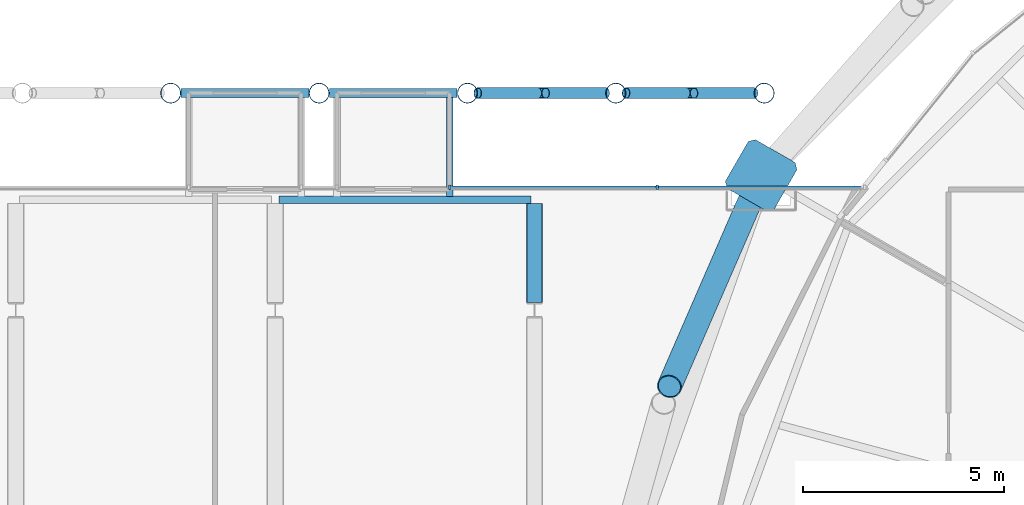
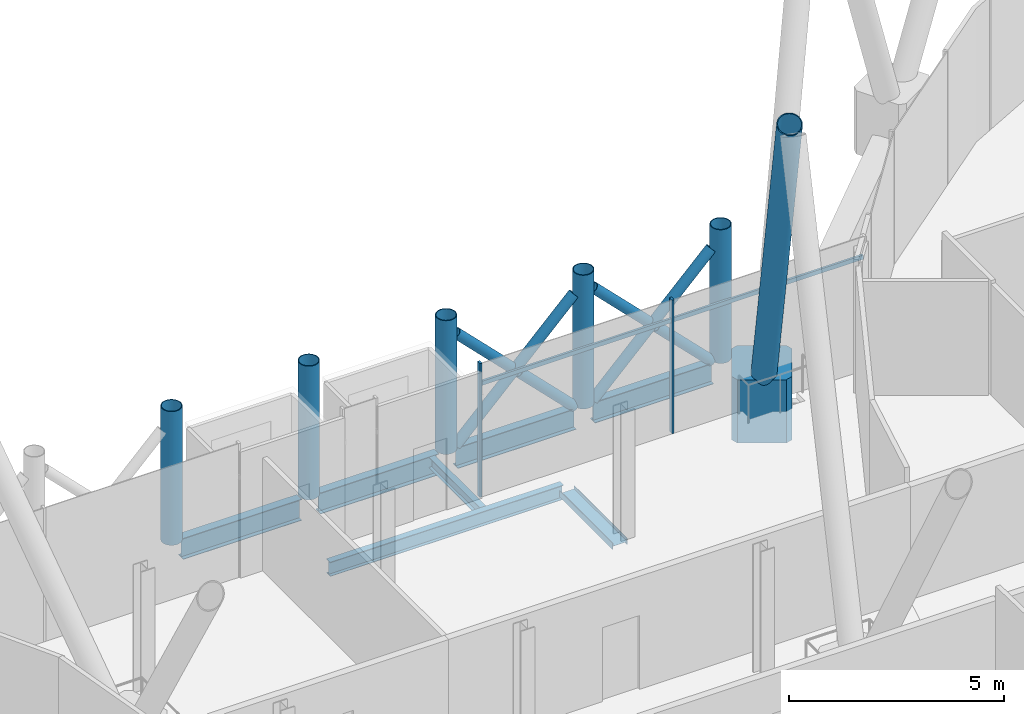
# One storey, part 12 of 35: 17 members, 7 beams, 1 element without a shape of its own.
"""IFC4 building model written with IfcOpenShell, lengths in metres."""

from ifc_helpers import new_model, si_unit, direction, frame, origin, origin_2d, place, context, subcontext, project, spatial, polyline, rectangle, hollow_circle, i_section, outline, extrude, material, material_profile, profile_set, type_object, element, aggregate, save


model = new_model("IFC4")

# Units and contexts
model_context = context("Model", 3, precision=1e-05, world=origin(), true_north=direction((0.0, 1.0)))
body_context = subcontext(model_context, "Body", "Model", "MODEL_VIEW")
ifc_project = project(units=[si_unit("LENGTHUNIT", "METRE"), si_unit("AREAUNIT", "SQUARE_METRE"), si_unit("VOLUMEUNIT", "CUBIC_METRE"), si_unit("PLANEANGLEUNIT", "RADIAN"), si_unit("MASSUNIT", "GRAM", prefix="KILO")], contexts=[model_context])

# Site, building, storey
site_placement = place(None, origin())
site = spatial("IfcSite", under=ifc_project, at=site_placement, CompositionType="ELEMENT")
building_placement = place(site_placement, origin())
building = spatial("IfcBuilding", under=site, at=building_placement, Name="Rimbun Link Towers", CompositionType="ELEMENT")
storey_placement = place(building_placement, frame((0.0, 0.0, 146.800048828125)))
storey = spatial("IfcBuildingStorey", under=building, at=storey_placement, Name="L35", CompositionType="ELEMENT", Elevation=146.800048828125)

# Curtain wall, members
ifc_material_1 = material(Name="Aluminium 6063-T6 and low-iron glass", Category="aluminium")
curtain_wall_type = type_object("IfcCurtainWallType", Name="CW4 link block wall", PredefinedType="NOTDEFINED", material=ifc_material_1)
curtain_wall_placement = place(storey_placement, origin())
curtain_wall = element("IfcCurtainWall", 1, at=curtain_wall_placement, inside=storey, type_object=curtain_wall_type, Name="CW4 L35 LB", PredefinedType="NOTDEFINED")
ifc_material_2 = material(Name="Aluminium 6063-T6", Category="aluminium")
ifc_material_profile_1 = material_profile(ifc_material_2, rectangle(XDim=0.1201171875, YDim=0.06005859375, at=origin_2d()), Name="MULLION 60X120")
ifc_profile_set_1 = profile_set([ifc_material_profile_1], Name="Aluminium 6063-T6")
member_type_1 = type_object("IfcMemberType", Name="CW4 mullion 60X120", PredefinedType="MULLION", material=ifc_profile_set_1)
member_1_placement = place(storey_placement, frame((4.336669921875, 11.06005859375, 0.0), z_axis=(0.0, 0.0, 1.0), x_axis=(0.0, 1.0, 0.0)))
member_1 = element("IfcMember", 2, at=member_1_placement, type_object=member_type_1, Name="CW4 mullion", PredefinedType="MULLION", context=body_context, shape_type="SweptSolid", body=[
    extrude(rectangle(XDim=0.1201171875, YDim=0.06005859375, at=origin_2d()), origin(), (0.0, 0.0, 1.0), 3.800048828125),
])
member_2_placement = place(storey_placement, frame((9.498779296875, 11.06005859375, 0.0), z_axis=(0.0, 0.0, 1.0), x_axis=(0.0, 1.0, 0.0)))
member_2 = element("IfcMember", 3, at=member_2_placement, type_object=member_type_1, Name="CW4 mullion", PredefinedType="MULLION", context=body_context, shape_type="SweptSolid", body=[
    extrude(rectangle(XDim=0.1201171875, YDim=0.06005859375, at=origin_2d()), origin(), (0.0, 0.0, 1.0), 3.800048828125),
])
ifc_material_3 = material(Name="Aluminium 6063-T6", Category="aluminium")
ifc_material_profile_2 = material_profile(ifc_material_3, rectangle(XDim=0.06005859375, YDim=0.1201171875, at=origin_2d()), Name="TRANSOM 60X120")
ifc_profile_set_2 = profile_set([ifc_material_profile_2], Name="Aluminium 6063-T6")
member_type_2 = type_object("IfcMemberType", Name="CW4 transom 60X120", PredefinedType="USERDEFINED", material=ifc_profile_set_2)
member_3_placement = place(storey_placement, frame((4.36669921875, 11.05810546875, 3.199951171875), z_axis=(1.0, 0.0, 0.0), x_axis=(0.0, 1.0, 0.0)))
member_3 = element("IfcMember", 4, at=member_3_placement, type_object=member_type_2, Name="CW4 transom", ObjectType="TRANSOM", PredefinedType="USERDEFINED", context=body_context, shape_type="SweptSolid", body=[
    extrude(rectangle(XDim=0.06005859375, YDim=0.1201171875, at=origin_2d()), origin(), (0.0, 0.0, 1.0), 5.10205078125),
])
member_4_placement = place(storey_placement, frame((9.52880859375, 11.05810546875, 3.199951171875), z_axis=(1.0, 0.0, 0.0), x_axis=(0.0, 1.0, 0.0)))
member_4 = element("IfcMember", 5, at=member_4_placement, type_object=member_type_2, Name="CW4 transom", ObjectType="TRANSOM", PredefinedType="USERDEFINED", context=body_context, shape_type="SweptSolid", body=[
    extrude(rectangle(XDim=0.06005859375, YDim=0.1201171875, at=origin_2d()), origin(), (0.0, 0.0, 1.0), 5.101806640625),
])
aggregate(curtain_wall, [member_1, member_2, member_3, member_4])

# Beam
ifc_material_4 = material(Name="Steel S355J2", Category="steel")
ifc_material_profile_3 = material_profile(ifc_material_4, i_section(OverallWidth=0.1650390625, OverallDepth=0.303466796875, WebThickness=0.006103515625, FlangeThickness=0.01025390625, at=origin_2d()), Name="UB 305x165x40")
ifc_profile_set_3 = profile_set([ifc_material_profile_3], Name="Steel S355J2")
beam_type_1 = type_object("IfcBeamType", Name="Capsule bracket beam UB 305x165x40", PredefinedType="BEAM", material=ifc_profile_set_3)
beam_1_placement = place(storey_placement, frame((4.336669921875, 10.8349609375, -0.371826171875), z_axis=(0.0, 1.0, 0.0), x_axis=(-1.0, 0.0, 0.0)))
element("IfcBeam", 6, at=beam_1_placement, inside=storey, type_object=beam_type_1, Name="Capsule F35.02 bracket beam 2", PredefinedType="BEAM", context=body_context, shape_type="SweptSolid", body=[
    extrude(i_section(OverallWidth=0.1650390625, OverallDepth=0.303466796875, WebThickness=0.006103515625, FlangeThickness=0.01025390625, at=origin_2d()), origin(), (0.0, 0.0, 1.0), 2.451171875),
])

# Members
ifc_material_5 = material(Name="Steel S355J2H", Category="steel")
ifc_material_profile_4 = material_profile(ifc_material_5, hollow_circle(Radius=0.3046875, WallThickness=0.02490234375, at=origin_2d()), Name="Diagrid diagonal CHS 610x25")
ifc_profile_set_4 = profile_set([ifc_material_profile_4], Name="Steel S355J2H")
member_type_3 = type_object("IfcMemberType", Name="Diagrid diagonal CHS 610x25", PredefinedType="BRACE", material=ifc_profile_set_4)
member_5_placement = place(storey_placement, frame((11.9990234375, 11.150390625, 0.44873046875), z_axis=(-0.175805244694, -0.404213171371, 0.89761028739), x_axis=(0.917019954162, -0.398841326431, 0.0)))
element("IfcMember", 7, at=member_5_placement, inside=storey, type_object=member_type_3, Name="Diagrid diagonal T2 L35-L38 07b", PredefinedType="BRACE", context=body_context, shape_type="SweptSolid", body=[
    extrude(hollow_circle(Radius=0.3046875, WallThickness=0.02490234375, at=origin_2d()), origin(), (0.0, 0.0, 1.0), 12.480224609375),
])
ifc_material_6 = material(Name="Cast steel G20Mn5+QT, Rp0.2 300 MPa", Category="steel")
ifc_material_profile_5 = material_profile(ifc_material_6, outline(polyline([(0.699951171875, -0.570068359375), (0.699951171875, 0.570068359375), (0.570068359375, 0.699951171875), (-0.570068359375, 0.699951171875), (-0.699951171875, 0.570068359375), (-0.699951171875, -0.570068359375), (-0.570068359375, -0.699951171875), (0.570068359375, -0.699951171875), (0.699951171875, -0.570068359375)])), Name="NODE 1400x1400")
ifc_profile_set_5 = profile_set([ifc_material_profile_5], Name="Cast steel G20Mn5+QT, Rp0.2 300 MPa")
member_type_4 = type_object("IfcMemberType", Name="Diagrid node cast 1400", PredefinedType="USERDEFINED", material=ifc_profile_set_5)
member_6_placement = place(storey_placement, frame((12.0869140625, 11.3525390625, -0.900146484375), z_axis=(0.0, 0.0, 1.0), x_axis=(-0.866025403784, 0.5, 0.0)))
element("IfcMember", 8, at=member_6_placement, inside=storey, type_object=member_type_4, Name="Diagrid node L35 07", ObjectType="Diagrid node", PredefinedType="USERDEFINED", context=body_context, shape_type="SweptSolid", body=[
    extrude(outline(polyline([(0.699951171875, -0.570068359375), (0.699951171875, 0.570068359375), (0.570068359375, 0.699951171875), (-0.570068359375, 0.699951171875), (-0.699951171875, 0.570068359375), (-0.699951171875, -0.570068359375), (-0.570068359375, -0.699951171875), (0.570068359375, -0.699951171875), (0.699951171875, -0.570068359375)])), origin(), (0.0, 0.0, 1.0), 1.800048828125),
])

# Beams
ifc_material_7 = material(Name="Steel S355J2", Category="steel")
ifc_material_profile_6 = material_profile(ifc_material_7, i_section(OverallWidth=0.177978515625, OverallDepth=0.406494140625, WebThickness=0.0078125, FlangeThickness=0.0126953125, at=origin_2d()), Name="UKB 406x178x60")
ifc_profile_set_6 = profile_set([ifc_material_profile_6], Name="Steel S355J2")
beam_type_2 = type_object("IfcBeamType", Name="Link floor beam UKB 406x178x60", PredefinedType="BEAM", material=ifc_profile_set_6)
beam_2_placement = place(storey_placement, frame((6.449951171875, 8.1875, -0.36328125), z_axis=(0.0, 1.0, 0.0), x_axis=(0.0, 0.0, 1.0)))
element("IfcBeam", 9, at=beam_2_placement, inside=storey, type_object=beam_type_2, Name="Link floor beam L35 11", PredefinedType="BEAM", context=body_context, shape_type="SweptSolid", body=[
    extrude(i_section(OverallWidth=0.177978515625, OverallDepth=0.406494140625, WebThickness=0.0078125, FlangeThickness=0.0126953125, at=origin_2d()), origin(), (0.0, 0.0, 1.0), 2.473388671875),
])
beam_3_placement = place(storey_placement, frame((0.089111328125, 10.75, -0.36328125), z_axis=(1.0, 0.0, 0.0), x_axis=(0.0, 1.0, 0.0)))
element("IfcBeam", 10, at=beam_3_placement, inside=storey, type_object=beam_type_2, Name="Link edge beam L35 15", PredefinedType="BEAM", context=body_context, shape_type="SweptSolid", body=[
    extrude(i_section(OverallWidth=0.177978515625, OverallDepth=0.406494140625, WebThickness=0.0078125, FlangeThickness=0.0126953125, at=origin_2d()), origin(), (0.0, 0.0, 1.0), 6.27197265625),
])

# Members
ifc_material_8 = material(Name="Steel S355J2H", Category="steel")
ifc_material_profile_7 = material_profile(ifc_material_8, hollow_circle(Radius=0.136474609375, WallThickness=0.012451171875, at=origin_2d()), Name="CHS 273x12.5")
ifc_profile_set_7 = profile_set([ifc_material_profile_7], Name="Steel S355J2H")
member_type_5 = type_object("IfcMemberType", Name="Link megaframe brace CHS 273x12.5", PredefinedType="BRACE", material=ifc_profile_set_7)
member_7_placement = place(storey_placement, frame((5.03564453125, 13.39990234375, -0.219970703125), z_axis=(0.705399815657, 0.0, 0.708809635989), x_axis=(0.0, 1.0, 0.0)))
element("IfcMember", 11, at=member_7_placement, inside=storey, type_object=member_type_5, Name="Link megaframe brace N4-5 bay 4.1", PredefinedType="BRACE", context=body_context, shape_type="SweptSolid", body=[
    extrude(hollow_circle(Radius=0.136474609375, WallThickness=0.012451171875, at=origin_2d()), origin(), (0.0, 0.0, 1.0), 4.5107421875),
])
member_8_placement = place(storey_placement, frame((8.217529296875, 13.39990234375, -0.219970703125), z_axis=(-0.705431248199, 0.0, 0.70877835327), x_axis=(0.0, -1.0, 0.0)))
element("IfcMember", 12, at=member_8_placement, inside=storey, type_object=member_type_5, Name="Link megaframe brace N4-5 bay 4.2a", PredefinedType="BRACE", context=body_context, shape_type="SweptSolid", body=[
    extrude(hollow_circle(Radius=0.136474609375, WallThickness=0.012451171875, at=origin_2d()), origin(), (0.0, 0.0, 1.0), 2.115234375),
])
member_9_placement = place(storey_placement, frame((6.52783203125, 13.39990234375, 1.477783203125), z_axis=(-0.70537354252, 0.0, 0.708835781767), x_axis=(0.0, -1.0, 0.0)))
element("IfcMember", 13, at=member_9_placement, inside=storey, type_object=member_type_5, Name="Link megaframe brace N4-5 bay 4.2b", PredefinedType="BRACE", context=body_context, shape_type="SweptSolid", body=[
    extrude(hollow_circle(Radius=0.136474609375, WallThickness=0.012451171875, at=origin_2d()), origin(), (0.0, 0.0, 1.0), 2.115478515625),
])
member_10_placement = place(storey_placement, frame((8.7255859375, 13.39990234375, -0.219970703125), z_axis=(0.705399815657, 0.0, 0.708809635989), x_axis=(0.0, 1.0, 0.0)))
element("IfcMember", 14, at=member_10_placement, inside=storey, type_object=member_type_5, Name="Link megaframe brace N5-6 bay 4.1", PredefinedType="BRACE", context=body_context, shape_type="SweptSolid", body=[
    extrude(hollow_circle(Radius=0.136474609375, WallThickness=0.012451171875, at=origin_2d()), origin(), (0.0, 0.0, 1.0), 4.5107421875),
])
member_11_placement = place(storey_placement, frame((11.907470703125, 13.39990234375, -0.219970703125), z_axis=(-0.705431248199, 0.0, 0.70877835327), x_axis=(0.0, -1.0, 0.0)))
element("IfcMember", 15, at=member_11_placement, inside=storey, type_object=member_type_5, Name="Link megaframe brace N5-6 bay 4.2a", PredefinedType="BRACE", context=body_context, shape_type="SweptSolid", body=[
    extrude(hollow_circle(Radius=0.136474609375, WallThickness=0.012451171875, at=origin_2d()), origin(), (0.0, 0.0, 1.0), 2.115234375),
])
member_12_placement = place(storey_placement, frame((10.2177734375, 13.39990234375, 1.477783203125), z_axis=(-0.70537354252, 0.0, 0.708835781767), x_axis=(0.0, -1.0, 0.0)))
element("IfcMember", 16, at=member_12_placement, inside=storey, type_object=member_type_5, Name="Link megaframe brace N5-6 bay 4.2b", PredefinedType="BRACE", context=body_context, shape_type="SweptSolid", body=[
    extrude(hollow_circle(Radius=0.136474609375, WallThickness=0.012451171875, at=origin_2d()), origin(), (0.0, 0.0, 1.0), 2.115478515625),
])
ifc_material_9 = material(Name="Steel S355J2H", Category="steel")
ifc_material_profile_8 = material_profile(ifc_material_9, hollow_circle(Radius=0.25390625, WallThickness=0.02001953125, at=origin_2d()), Name="CHS 508x20")
ifc_profile_set_8 = profile_set([ifc_material_profile_8], Name="Steel S355J2H")
member_type_6 = type_object("IfcMemberType", Name="Link megaframe post CHS 508x20", PredefinedType="POST", material=ifc_profile_set_8)
for number, where, z_axis, x_axis, name in (
    (17, (-2.59814453125, 13.39990234375, -0.219970703125), (0.0, 0.0, 1.0), (1.0, 0.0, 0.0), "Link megaframe post N2 bay 4"),
    (18, (1.091796875, 13.39990234375, -0.219970703125), (0.0, 0.0, 1.0), (1.0, 0.0, 0.0), "Link megaframe post N3 bay 4"),
    (19, (4.78173828125, 13.39990234375, -0.219970703125), (0.0, 0.0, 1.0), (1.0, 0.0, 0.0), "Link megaframe post N4 bay 4"),
    (20, (8.4716796875, 13.39990234375, -0.219970703125), (0.0, 0.0, 1.0), (1.0, 0.0, 0.0), "Link megaframe post N5 bay 4"),
    (21, (12.16162109375, 13.39990234375, -0.219970703125), (0.0, 0.0, 1.0), (1.0, 0.0, 0.0), "Link megaframe post N6 bay 4"),
):
    element("IfcMember", number, at=place(storey_placement, frame(where, z_axis=z_axis, x_axis=x_axis)), inside=storey, type_object=member_type_6, Name=name, PredefinedType="POST", context=body_context, shape_type="SweptSolid", body=[
        extrude(hollow_circle(Radius=0.25390625, WallThickness=0.02001953125, at=origin_2d()), origin(), (0.0, 0.0, 1.0), 3.7998046875),
    ])

# Beams
ifc_material_10 = material(Name="Steel S355J2", Category="steel")
ifc_material_profile_9 = material_profile(ifc_material_10, i_section(OverallWidth=0.2275390625, OverallDepth=0.6025390625, WebThickness=0.010498046875, FlangeThickness=0.014892578125, at=origin_2d()), Name="UB 610x229x101")
ifc_profile_set_9 = profile_set([ifc_material_profile_9], Name="Steel S355J2")
beam_type_3 = type_object("IfcBeamType", Name="Link megaframe ring beam UB 610x229x101", PredefinedType="BEAM", material=ifc_profile_set_9)
beam_4_placement = place(storey_placement, frame((-2.34423828125, 13.39990234375, -0.521240234375), z_axis=(1.0, 0.0, 0.0), x_axis=(0.0, 1.0, 0.0)))
element("IfcBeam", 22, at=beam_4_placement, inside=storey, type_object=beam_type_3, Name="Link megaframe ring beam N2-3 L35", PredefinedType="BEAM", context=body_context, shape_type="SweptSolid", body=[
    extrude(i_section(OverallWidth=0.2275390625, OverallDepth=0.6025390625, WebThickness=0.010498046875, FlangeThickness=0.014892578125, at=origin_2d()), origin(), (0.0, 0.0, 1.0), 3.18212890625),
])
for number, where, z_axis, x_axis, name in (
    (23, (1.345703125, 13.39990234375, -0.521240234375), (1.0, 0.0, 0.0), (0.0, 1.0, 0.0), "Link megaframe ring beam N3-4 L35"),
    (24, (5.03564453125, 13.39990234375, -0.521240234375), (1.0, 0.0, 0.0), (0.0, 1.0, 0.0), "Link megaframe ring beam N4-5 L35"),
    (25, (8.7255859375, 13.39990234375, -0.521240234375), (1.0, 0.0, 0.0), (0.0, 1.0, 0.0), "Link megaframe ring beam N5-6 L35"),
):
    element("IfcBeam", number, at=place(storey_placement, frame(where, z_axis=z_axis, x_axis=x_axis)), inside=storey, type_object=beam_type_3, Name=name, PredefinedType="BEAM", context=body_context, shape_type="SweptSolid", body=[
        extrude(i_section(OverallWidth=0.2275390625, OverallDepth=0.6025390625, WebThickness=0.010498046875, FlangeThickness=0.014892578125, at=origin_2d()), origin(), (0.0, 0.0, 1.0), 3.181884765625),
    ])

save(model, "model.ifc")
